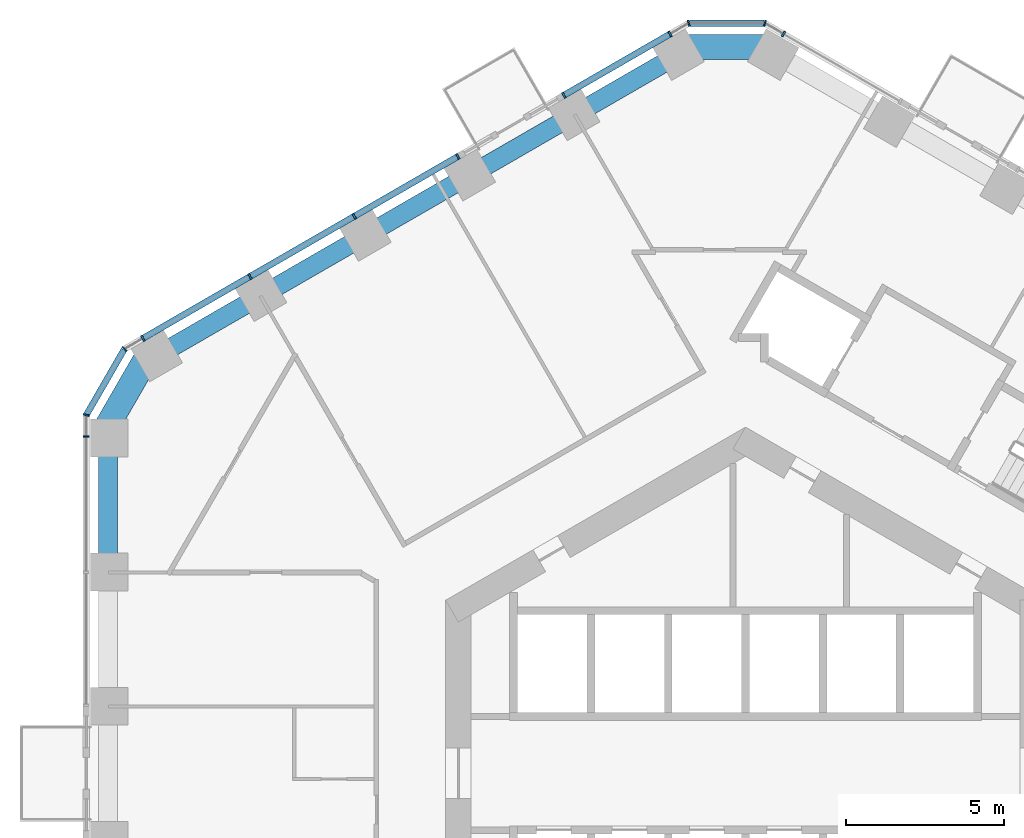
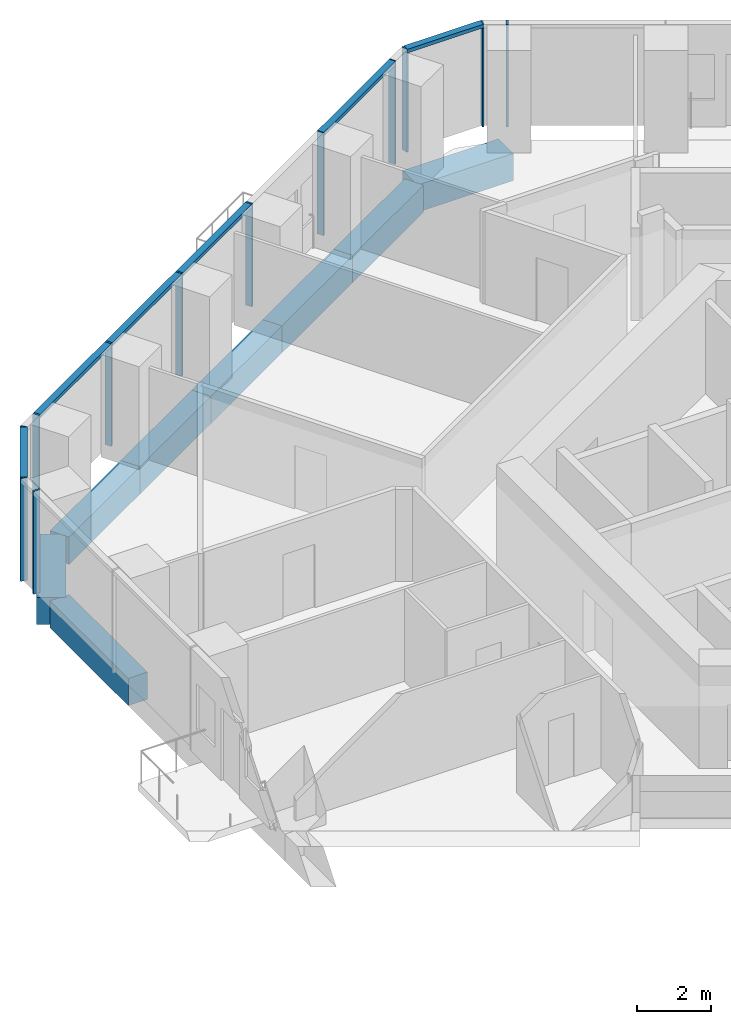
# One storey, part 6 of 20: 16 members, 8 beams, 6 elements without a shape of their own.
"""IFC4 building model written with IfcOpenShell, lengths in metres."""

from ifc_helpers import new_model, si_unit, direction, frame, origin, origin_2d, place, context, subcontext, project, spatial, rectangle, extrude, material, layer, layer_set, material_profile, profile_set, type_object, element, aggregate, save


model = new_model("IFC4")

# Units and contexts
model_context = context("Model", 3, precision=1e-05, world=origin(), true_north=direction((0.0, 1.0)))
body_context = subcontext(model_context, "Body", "Model", "MODEL_VIEW")
ifc_project = project(units=[si_unit("LENGTHUNIT", "METRE"), si_unit("AREAUNIT", "SQUARE_METRE"), si_unit("VOLUMEUNIT", "CUBIC_METRE"), si_unit("PLANEANGLEUNIT", "RADIAN"), si_unit("MASSUNIT", "GRAM", prefix="KILO")], contexts=[model_context])

# Site, building, storey
site_placement = place(None, origin())
site = spatial("IfcSite", under=ifc_project, at=site_placement, CompositionType="ELEMENT")
building_placement = place(site_placement, origin())
building = spatial("IfcBuilding", under=site, at=building_placement, Name="Ayvan Gate Tower", CompositionType="ELEMENT")
storey_placement = place(building_placement, frame((0.0, 0.0, 59.5)))
storey = spatial("IfcBuildingStorey", under=building, at=storey_placement, Name="L15", CompositionType="ELEMENT", Elevation=59.5)

# Beams
ifc_material_1 = material(Name="Concrete C40/50", Category="concrete")
ifc_material_profile_1 = material_profile(ifc_material_1, rectangle(XDim=0.800048828125, YDim=0.89990234375, at=origin_2d()), Name="RC 800x900")
ifc_profile_set_1 = profile_set([ifc_material_profile_1], Name="Concrete C40/50")
beam_type_1 = type_object("IfcBeamType", Name="Corner spandrel beam RC 800x900 C40/50", PredefinedType="BEAM", material=ifc_profile_set_1)
beam_1_placement = place(storey_placement, frame((0.92041015625, 23.019287109375, -0.800048828125), z_axis=(-1.0, 0.0, 0.0), x_axis=(0.0, -1.0, 0.0)))
element("IfcBeam", 1, at=beam_1_placement, inside=storey, type_object=beam_type_1, Name="SB-L15-12", PredefinedType="BEAM", context=body_context, shape_type="SweptSolid", body=[
    extrude(rectangle(XDim=0.800048828125, YDim=0.89990234375, at=origin_2d()), origin(), (0.0, 0.0, 1.0), 3.0),
])
beam_2_placement = place(storey_placement, frame((-18.8955078125, 13.310546875, -0.800048828125), z_axis=(-0.50002537861, -0.866010750942, 0.0), x_axis=(0.866010750942, -0.50002537861, 0.0)))
element("IfcBeam", 2, at=beam_2_placement, inside=storey, type_object=beam_type_1, Name="SB-L15-18", PredefinedType="BEAM", context=body_context, shape_type="SweptSolid", body=[
    extrude(rectangle(XDim=0.800048828125, YDim=0.89990234375, at=origin_2d()), origin(), (0.0, 0.0, 1.0), 2.999755859375),
])
ifc_material_profile_2 = material_profile(ifc_material_1, rectangle(XDim=0.60009765625, YDim=0.89990234375, at=origin_2d()), Name="RC 600x900")
ifc_profile_set_2 = profile_set([ifc_material_profile_2], Name="Concrete C40/50")
beam_type_2 = type_object("IfcBeamType", Name="Spandrel beam RC 600x900 C40/50", PredefinedType="BEAM", material=ifc_profile_set_2)
beam_3_placement = place(storey_placement, frame((-2.07958984375, 22.79931640625, -0.800048828125), z_axis=(-0.866023567637, -0.500003180287, 0.0), x_axis=(0.500003180287, -0.866023567637, 0.0)))
element("IfcBeam", 3, at=beam_3_placement, inside=storey, type_object=beam_type_2, Name="SB-L15-13", PredefinedType="BEAM", context=body_context, shape_type="SweptSolid", body=[
    extrude(rectangle(XDim=0.60009765625, YDim=0.89990234375, at=origin_2d()), origin(), (0.0, 0.0, 1.0), 3.83935546875),
])
for number, where, z_axis, x_axis, name in (
    (4, (-5.404541015625, 20.879638671875, -0.800048828125), (-0.866039463868, -0.499975646431, 0.0), (0.499975646431, -0.866039463868, 0.0), "SB-L15-14"),
    (5, (-8.729736328125, 18.9599609375, -0.800048828125), (-0.866011930837, -0.500023335103, 0.0), (0.500023335103, -0.866011930837, 0.0), "SB-L15-15"),
):
    element("IfcBeam", number, at=place(storey_placement, frame(where, z_axis=z_axis, x_axis=x_axis)), inside=storey, type_object=beam_type_2, Name=name, PredefinedType="BEAM", context=body_context, shape_type="SweptSolid", body=[
        extrude(rectangle(XDim=0.60009765625, YDim=0.89990234375, at=origin_2d()), origin(), (0.0, 0.0, 1.0), 3.839599609375),
    ])
beam_4_placement = place(storey_placement, frame((-12.054931640625, 17.0400390625, -0.800048828125), z_axis=(-0.866023567637, -0.500003180287, 0.0), x_axis=(0.500003180287, -0.866023567637, 0.0)))
element("IfcBeam", 6, at=beam_4_placement, inside=storey, type_object=beam_type_2, Name="SB-L15-16", PredefinedType="BEAM", context=body_context, shape_type="SweptSolid", body=[
    extrude(rectangle(XDim=0.60009765625, YDim=0.89990234375, at=origin_2d()), origin(), (0.0, 0.0, 1.0), 3.83935546875),
])
beam_5_placement = place(storey_placement, frame((-15.3798828125, 15.120361328125, -0.800048828125), z_axis=(-0.866039463868, -0.499975646431, 0.0), x_axis=(0.499975646431, -0.866039463868, 0.0)))
element("IfcBeam", 7, at=beam_5_placement, inside=storey, type_object=beam_type_2, Name="SB-L15-17", PredefinedType="BEAM", context=body_context, shape_type="SweptSolid", body=[
    extrude(rectangle(XDim=0.60009765625, YDim=0.89990234375, at=origin_2d()), origin(), (0.0, 0.0, 1.0), 3.839599609375),
])
beam_6_placement = place(storey_placement, frame((-20.205078125, 10.6025390625, -0.800048828125), z_axis=(0.0, -1.0, 0.0), x_axis=(1.0, 0.0, 0.0)))
element("IfcBeam", 8, at=beam_6_placement, inside=storey, type_object=beam_type_2, Name="SB-L15-19", PredefinedType="BEAM", context=body_context, shape_type="SweptSolid", body=[
    extrude(rectangle(XDim=0.60009765625, YDim=0.89990234375, at=origin_2d()), origin(), (0.0, 0.0, 1.0), 4.240966796875),
])

# Curtain wall, members
ifc_material_2 = material(Name="Bronze anodised aluminium", Category="aluminium")
ifc_layer_1 = layer(ifc_material_2, 0.199951171875)
ifc_layer_set_1 = layer_set([ifc_layer_1], Name="Bronze anodised aluminium")
curtain_wall_type_1 = type_object("IfcCurtainWallType", Name="Stick curtain wall CW-1", PredefinedType="NOTDEFINED", material=ifc_layer_set_1)
curtain_wall_1_placement = place(storey_placement, origin())
curtain_wall_1 = element("IfcCurtainWall", 9, at=curtain_wall_1_placement, inside=storey, type_object=curtain_wall_type_1, Name="Stick curtain wall CW-1 L15", PredefinedType="NOTDEFINED")
ifc_material_profile_3 = material_profile(ifc_material_2, rectangle(XDim=0.199951171875, YDim=0.06005859375, at=origin_2d()), Name="Stick curtain wall CW-1 mullion 200 x 60")
ifc_profile_set_3 = profile_set([ifc_material_profile_3], Name="Bronze anodised aluminium")
member_type_1 = type_object("IfcMemberType", Name="Stick curtain wall CW-1 mullion 200 x 60", PredefinedType="MULLION", material=ifc_profile_set_3)
member_1_placement = place(storey_placement, frame((-2.3896484375, 23.4287109375, 0.0), z_axis=(0.0, 0.0, 1.0), x_axis=(-0.5, 0.866025403784, 0.0)))
member_1 = element("IfcMember", 10, at=member_1_placement, type_object=member_type_1, Name="CW-1 mullion 1", PredefinedType="MULLION", context=body_context, shape_type="SweptSolid", body=[
    extrude(rectangle(XDim=0.199951171875, YDim=0.06005859375, at=origin_2d()), origin(), (0.0, 0.0, 1.0), 3.39990234375),
])
member_2_placement = place(storey_placement, frame((-5.755126953125, 21.485595703125, 0.0), z_axis=(0.0, 0.0, 1.0), x_axis=(-0.5, 0.866025403784, 0.0)))
member_2 = element("IfcMember", 11, at=member_2_placement, type_object=member_type_1, Name="CW-1 mullion 2", PredefinedType="MULLION", context=body_context, shape_type="SweptSolid", body=[
    extrude(rectangle(XDim=0.199951171875, YDim=0.06005859375, at=origin_2d()), origin(), (0.0, 0.0, 1.0), 3.39990234375),
])

curtain_wall_2_placement = place(storey_placement, origin())
curtain_wall_2 = element("IfcCurtainWall", 12, at=curtain_wall_2_placement, inside=storey, type_object=curtain_wall_type_1, Name="Stick curtain wall CW-1 L15", PredefinedType="NOTDEFINED")
member_3_placement = place(storey_placement, frame((-9.1142578125, 19.546142578125, 0.0), z_axis=(0.0, 0.0, 1.0), x_axis=(-0.5, 0.866025403784, 0.0)))
member_3 = element("IfcMember", 13, at=member_3_placement, type_object=member_type_1, Name="CW-1 mullion 1", PredefinedType="MULLION", context=body_context, shape_type="SweptSolid", body=[
    extrude(rectangle(XDim=0.199951171875, YDim=0.06005859375, at=origin_2d()), origin(), (0.0, 0.0, 1.0), 3.39990234375),
])
member_4_placement = place(storey_placement, frame((-12.396484375, 17.651123046875, 0.0), z_axis=(0.0, 0.0, 1.0), x_axis=(-0.5, 0.866025403784, 0.0)))
member_4 = element("IfcMember", 14, at=member_4_placement, type_object=member_type_1, Name="CW-1 mullion 2", PredefinedType="MULLION", context=body_context, shape_type="SweptSolid", body=[
    extrude(rectangle(XDim=0.199951171875, YDim=0.06005859375, at=origin_2d()), origin(), (0.0, 0.0, 1.0), 3.39990234375),
])
member_5_placement = place(storey_placement, frame((-15.703857421875, 15.74169921875, 0.0), z_axis=(0.0, 0.0, 1.0), x_axis=(-0.5, 0.866025403784, 0.0)))
member_5 = element("IfcMember", 15, at=member_5_placement, type_object=member_type_1, Name="CW-1 mullion 3", PredefinedType="MULLION", context=body_context, shape_type="SweptSolid", body=[
    extrude(rectangle(XDim=0.199951171875, YDim=0.06005859375, at=origin_2d()), origin(), (0.0, 0.0, 1.0), 3.39990234375),
])
member_6_placement = place(storey_placement, frame((-19.094970703125, 13.78369140625, 0.0), z_axis=(0.0, 0.0, 1.0), x_axis=(-0.5, 0.866025403784, 0.0)))
member_6 = element("IfcMember", 16, at=member_6_placement, type_object=member_type_1, Name="CW-1 mullion 4", PredefinedType="MULLION", context=body_context, shape_type="SweptSolid", body=[
    extrude(rectangle(XDim=0.199951171875, YDim=0.06005859375, at=origin_2d()), origin(), (0.0, 0.0, 1.0), 3.39990234375),
])

# Curtain wall, member
curtain_wall_3_placement = place(storey_placement, origin())
curtain_wall_3 = element("IfcCurtainWall", 17, at=curtain_wall_3_placement, inside=storey, type_object=curtain_wall_type_1, Name="Stick curtain wall CW-1 L15", PredefinedType="NOTDEFINED")
member_7_placement = place(storey_placement, frame((-20.89111328125, 10.6728515625, 0.0), z_axis=(0.0, 0.0, 1.0), x_axis=(-1.0, 0.0, 0.0)))
member_7 = element("IfcMember", 18, at=member_7_placement, type_object=member_type_1, Name="CW-1 mullion 1", PredefinedType="MULLION", context=body_context, shape_type="SweptSolid", body=[
    extrude(rectangle(XDim=0.199951171875, YDim=0.06005859375, at=origin_2d()), origin(), (0.0, 0.0, 1.0), 3.39990234375),
])
aggregate(curtain_wall_3, [member_7])

curtain_wall_4_placement = place(storey_placement, origin())
curtain_wall_4 = element("IfcCurtainWall", 19, at=curtain_wall_4_placement, inside=storey, type_object=curtain_wall_type_1, Name="Stick curtain wall CW-1 L15", PredefinedType="NOTDEFINED")
member_8_placement = place(storey_placement, frame((1.20263671875, 23.4287109375, 0.0), z_axis=(0.0, 0.0, 1.0), x_axis=(0.5, 0.866025403784, 0.0)))
member_8 = element("IfcMember", 20, at=member_8_placement, type_object=member_type_1, Name="CW-1 mullion 2", PredefinedType="MULLION", context=body_context, shape_type="SweptSolid", body=[
    extrude(rectangle(XDim=0.199951171875, YDim=0.06005859375, at=origin_2d()), origin(), (0.0, 0.0, 1.0), 3.39990234375),
])
aggregate(curtain_wall_4, [member_8])

# Member
ifc_material_profile_4 = material_profile(ifc_material_2, rectangle(XDim=0.199951171875, YDim=0.1201171875, at=origin_2d()), Name="Stick curtain wall CW-1 transom 200 x 120")
ifc_profile_set_4 = profile_set([ifc_material_profile_4], Name="Bronze anodised aluminium")
member_type_2 = type_object("IfcMemberType", Name="Stick curtain wall CW-1 transom 200 x 120", PredefinedType="USERDEFINED", material=ifc_profile_set_4)
member_9_placement = place(storey_placement, frame((-2.3896484375, 23.4287109375, 3.340087890625), z_axis=(-0.866019241107, -0.500010673919, 0.0), x_axis=(0.500010673919, -0.866019241107, 0.0)))
member_9 = element("IfcMember", 21, at=member_9_placement, type_object=member_type_2, Name="CW-1 transom 1", ObjectType="TRANSOM", PredefinedType="USERDEFINED", context=body_context, shape_type="SweptSolid", body=[
    extrude(rectangle(XDim=0.199951171875, YDim=0.1201171875, at=origin_2d()), origin(), (0.0, 0.0, 1.0), 3.88623046875),
])

aggregate(curtain_wall_1, [member_1, member_2, member_9])

member_10_placement = place(storey_placement, frame((-9.1142578125, 19.546142578125, 3.340087890625), z_axis=(-0.866022251533, -0.500005459821, 0.0), x_axis=(0.500005459821, -0.866022251533, 0.0)))
member_10 = element("IfcMember", 22, at=member_10_placement, type_object=member_type_2, Name="CW-1 transom 1", ObjectType="TRANSOM", PredefinedType="USERDEFINED", context=body_context, shape_type="SweptSolid", body=[
    extrude(rectangle(XDim=0.199951171875, YDim=0.1201171875, at=origin_2d()), origin(), (0.0, 0.0, 1.0), 11.524658203125),
])

aggregate(curtain_wall_2, [member_3, member_4, member_5, member_6, member_10])

# Curtain wall, members
ifc_layer_2 = layer(ifc_material_2, 0.199951171875)
ifc_layer_set_2 = layer_set([ifc_layer_2], Name="Bronze anodised aluminium")
curtain_wall_type_2 = type_object("IfcCurtainWallType", Name="Stick curtain wall CW-6", PredefinedType="NOTDEFINED", material=ifc_layer_set_2)
curtain_wall_5_placement = place(storey_placement, origin())
curtain_wall_5 = element("IfcCurtainWall", 23, at=curtain_wall_5_placement, inside=storey, type_object=curtain_wall_type_2, Name="Stick curtain wall CW-6 L15", PredefinedType="NOTDEFINED")
ifc_material_profile_5 = material_profile(ifc_material_2, rectangle(XDim=0.199951171875, YDim=0.050048828125, at=origin_2d()), Name="Stick curtain wall CW-6 mullion 200 x 50")
ifc_profile_set_5 = profile_set([ifc_material_profile_5], Name="Bronze anodised aluminium")
member_type_3 = type_object("IfcMemberType", Name="Stick curtain wall CW-6 mullion 200 x 50", PredefinedType="MULLION", material=ifc_profile_set_5)
member_11_placement = place(storey_placement, frame((-19.683837890625, 13.44384765625, 0.0), z_axis=(0.0, 0.0, 1.0), x_axis=(-0.707106781187, 0.707106781187, 0.0)))
member_11 = element("IfcMember", 24, at=member_11_placement, type_object=member_type_3, Name="CW-6 mullion 2", PredefinedType="MULLION", context=body_context, shape_type="SweptSolid", body=[
    extrude(rectangle(XDim=0.199951171875, YDim=0.050048828125, at=origin_2d()), origin(), (0.0, 0.0, 1.0), 3.39990234375),
])
member_12_placement = place(storey_placement, frame((-20.89111328125, 11.352783203125, 0.0), z_axis=(0.0, 0.0, 1.0), x_axis=(-0.965925826289, 0.258819045103, 0.0)))
member_12 = element("IfcMember", 25, at=member_12_placement, type_object=member_type_3, Name="CW-6 mullion 3", PredefinedType="MULLION", context=body_context, shape_type="SweptSolid", body=[
    extrude(rectangle(XDim=0.199951171875, YDim=0.050048828125, at=origin_2d()), origin(), (0.0, 0.0, 1.0), 3.39990234375),
])

curtain_wall_6_placement = place(storey_placement, origin())
curtain_wall_6 = element("IfcCurtainWall", 26, at=curtain_wall_6_placement, inside=storey, type_object=curtain_wall_type_2, Name="Stick curtain wall CW-6 L15", PredefinedType="NOTDEFINED")
member_13_placement = place(storey_placement, frame((0.61376953125, 23.7685546875, 0.0), z_axis=(0.0, 0.0, 1.0), x_axis=(0.258819045103, 0.965925826289, 0.0)))
member_13 = element("IfcMember", 27, at=member_13_placement, type_object=member_type_3, Name="CW-6 mullion 2", PredefinedType="MULLION", context=body_context, shape_type="SweptSolid", body=[
    extrude(rectangle(XDim=0.199951171875, YDim=0.050048828125, at=origin_2d()), origin(), (0.0, 0.0, 1.0), 3.39990234375),
])
member_14_placement = place(storey_placement, frame((-1.80078125, 23.7685546875, 0.0), z_axis=(0.0, 0.0, 1.0), x_axis=(-0.258819045103, 0.965925826289, 0.0)))
member_14 = element("IfcMember", 28, at=member_14_placement, type_object=member_type_3, Name="CW-6 mullion 3", PredefinedType="MULLION", context=body_context, shape_type="SweptSolid", body=[
    extrude(rectangle(XDim=0.199951171875, YDim=0.050048828125, at=origin_2d()), origin(), (0.0, 0.0, 1.0), 3.39990234375),
])

# Member
ifc_material_profile_6 = material_profile(ifc_material_2, rectangle(XDim=0.199951171875, YDim=0.1201171875, at=origin_2d()), Name="Stick curtain wall CW-6 transom 200 x 120")
ifc_profile_set_6 = profile_set([ifc_material_profile_6], Name="Bronze anodised aluminium")
member_type_4 = type_object("IfcMemberType", Name="Stick curtain wall CW-6 transom 200 x 120", PredefinedType="USERDEFINED", material=ifc_profile_set_6)
member_15_placement = place(storey_placement, frame((-19.6962890625, 13.422119140625, 3.340087890625), z_axis=(-0.500059108572, -0.865991274745, 0.0), x_axis=(0.865991274745, -0.500059108572, 0.0)))
member_15 = element("IfcMember", 29, at=member_15_placement, type_object=member_type_4, Name="CW-6 transom 2", ObjectType="TRANSOM", PredefinedType="USERDEFINED", context=body_context, shape_type="SweptSolid", body=[
    extrude(rectangle(XDim=0.199951171875, YDim=0.1201171875, at=origin_2d()), origin(), (0.0, 0.0, 1.0), 2.364501953125),
])

aggregate(curtain_wall_5, [member_11, member_12, member_15])

member_16_placement = place(storey_placement, frame((0.5888671875, 23.7685546875, 3.340087890625), z_axis=(-1.0, 0.0, 0.0), x_axis=(0.0, -1.0, 0.0)))
member_16 = element("IfcMember", 30, at=member_16_placement, type_object=member_type_4, Name="CW-6 transom 2", ObjectType="TRANSOM", PredefinedType="USERDEFINED", context=body_context, shape_type="SweptSolid", body=[
    extrude(rectangle(XDim=0.199951171875, YDim=0.1201171875, at=origin_2d()), origin(), (0.0, 0.0, 1.0), 2.364501953125),
])

aggregate(curtain_wall_6, [member_13, member_14, member_16])

save(model, "model.ifc")
